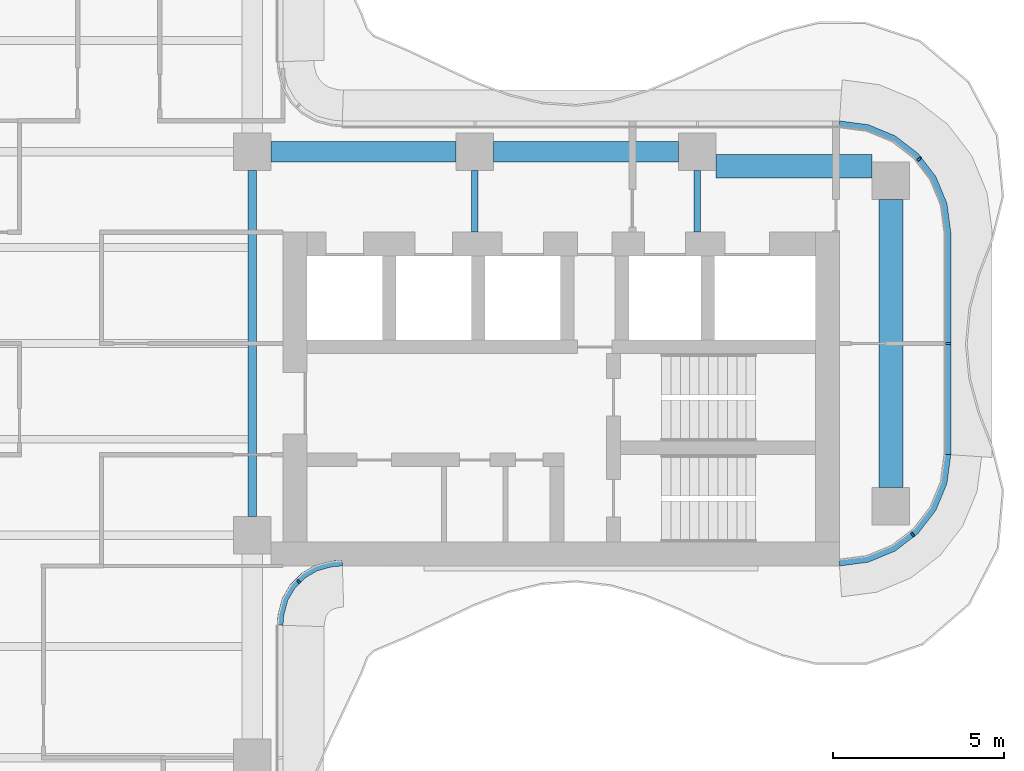
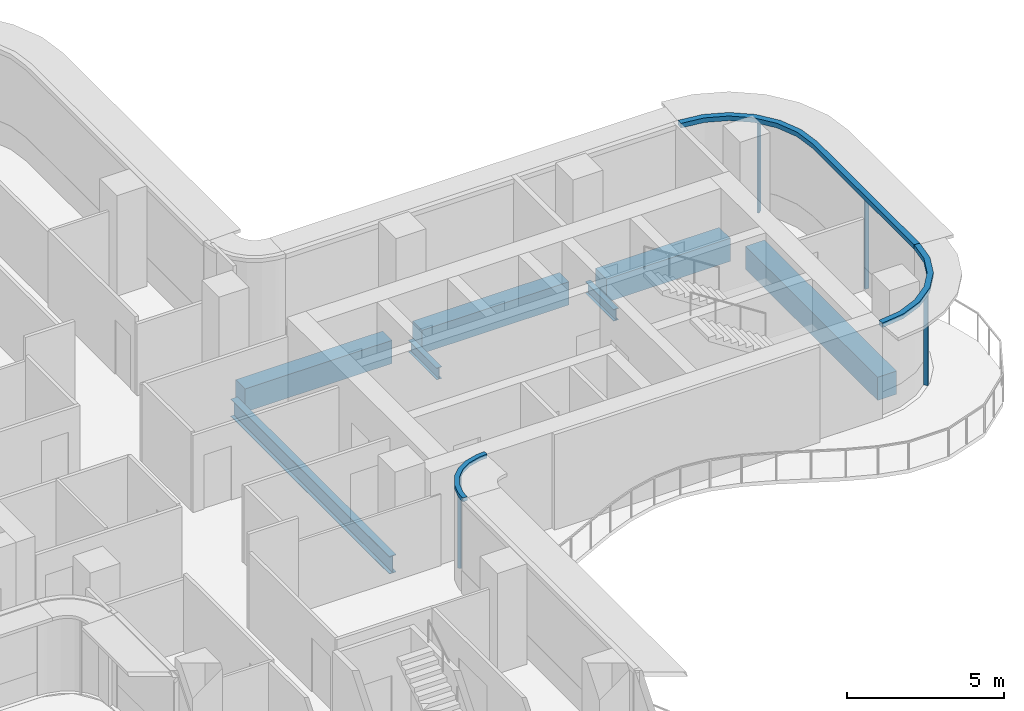
# One storey, part 5 of 17: 7 beams, 7 members, 3 elements without a shape of their own.
"""IFC4 building model written with IfcOpenShell, lengths in metres."""

from ifc_helpers import new_model, si_unit, direction, frame, origin, origin_2d, place, context, subcontext, project, spatial, polyline, rectangle, i_section, outline, extrude, source, transform, mapped, material, layer, layer_set, material_profile, profile_set, type_object, element, aggregate, save


model = new_model("IFC4")

# Units and contexts
model_context = context("Model", 3, precision=1e-05, world=origin(), true_north=direction((0.0, 1.0)))
body_context = subcontext(model_context, "Body", "Model", "MODEL_VIEW")
ifc_project = project(units=[si_unit("LENGTHUNIT", "METRE"), si_unit("AREAUNIT", "SQUARE_METRE"), si_unit("VOLUMEUNIT", "CUBIC_METRE"), si_unit("PLANEANGLEUNIT", "RADIAN"), si_unit("MASSUNIT", "GRAM", prefix="KILO")], contexts=[model_context])

# Site, building, storey
site_placement = place(None, origin())
site = spatial("IfcSite", under=ifc_project, at=site_placement, CompositionType="ELEMENT")
building_placement = place(site_placement, origin())
building = spatial("IfcBuilding", under=site, at=building_placement, Name="Trellis Farm Tower", CompositionType="ELEMENT")
storey_placement = place(building_placement, frame((0.0, 0.0, 236.300048828125)))
storey = spatial("IfcBuildingStorey", under=building, at=storey_placement, Name="L52", CompositionType="ELEMENT", Elevation=236.300048828125)

# Beams
ifc_material_1 = material(Name="Steel S355", Category="steel")
ifc_material_profile_1 = material_profile(ifc_material_1, i_section(OverallWidth=0.253662109375, OverallDepth=0.68359375, WebThickness=0.012451171875, FlangeThickness=0.021728515625, FilletRadius=0.01513671875, at=origin_2d()), Name="UB 686x254x140")
ifc_profile_set_1 = profile_set([ifc_material_profile_1], Name="Steel S355")
beam_type_1 = type_object("IfcBeamType", Name="UB 686x254x140", PredefinedType="BEAM", material=ifc_profile_set_1)
shared_shape_1 = source(origin(), body_context, "Body", "SweptSolid", [
    extrude(i_section(OverallWidth=0.253662109375, OverallDepth=0.68359375, WebThickness=0.012451171875, FlangeThickness=0.021728515625, FilletRadius=0.01513671875, at=origin_2d()), origin(), (0.0, 0.0, 1.0), 10.10009765625),
])
beam_1_placement = place(storey_placement, frame((5.60009765625, -5.050048828125, -0.541748046875), z_axis=(0.0, 1.0, 0.0), x_axis=(-1.0, 0.0, 0.0)))
element("IfcBeam", 1, at=beam_1_placement, inside=storey, type_object=beam_type_1, Name="Girder", PredefinedType="BEAM", context=body_context, shape_type="MappedRepresentation", body=[
    mapped(shared_shape_1, transform((0.0, 0.0, 0.0))),
])
ifc_material_profile_2 = material_profile(ifc_material_1, i_section(OverallWidth=0.1904296875, OverallDepth=0.45703125, WebThickness=0.009033203125, FlangeThickness=0.014404296875, FilletRadius=0.01025390625, at=origin_2d()), Name="UB 457x191x74")
ifc_profile_set_2 = profile_set([ifc_material_profile_2], Name="Steel S355")
beam_type_2 = type_object("IfcBeamType", Name="UB 457x191x74", PredefinedType="BEAM", material=ifc_profile_set_2)
shared_shape_2 = source(origin(), body_context, "Body", "SweptSolid", [
    extrude(i_section(OverallWidth=0.1904296875, OverallDepth=0.45703125, WebThickness=0.009033203125, FlangeThickness=0.014404296875, FilletRadius=0.01025390625, at=origin_2d()), origin(), (0.0, 0.0, 1.0), 1.800048828125),
])
for number, where, z_axis, x_axis, name in (
    (2, (12.10009765625, 3.25, -0.428466796875), (0.0, 1.0, 0.0), (-1.0, 0.0, 0.0), "Girder"),
    (3, (18.60009765625, 3.25, -0.428466796875), (0.0, 1.0, 0.0), (-1.0, 0.0, 0.0), "Girder"),
):
    element("IfcBeam", number, at=place(storey_placement, frame(where, z_axis=z_axis, x_axis=x_axis)), inside=storey, type_object=beam_type_2, Name=name, PredefinedType="BEAM", context=body_context, shape_type="MappedRepresentation", body=[
        mapped(shared_shape_2, transform((0.0, 0.0, 0.0))),
    ])
ifc_material_2 = material(Name="Concrete C60/75", Category="concrete")
ifc_material_profile_3 = material_profile(ifc_material_2, rectangle(XDim=0.60009765625, YDim=0.89990234375, at=origin_2d()), Name="RC spandrel beam 600x900 C60/75")
ifc_profile_set_3 = profile_set([ifc_material_profile_3], Name="Concrete C60/75")
beam_type_3 = type_object("IfcBeamType", Name="RC spandrel beam 600x900 C60/75", PredefinedType="SPANDREL", material=ifc_profile_set_3)
shared_shape_3 = source(origin(), body_context, "Body", "SweptSolid", [
    extrude(rectangle(XDim=0.60009765625, YDim=0.89990234375, at=origin_2d()), origin(), (0.0, 0.0, 1.0), 5.400146484375),
])
for number, where, z_axis, x_axis, name in (
    (4, (6.14990234375, 5.60009765625, -0.650146484375), (1.0, 0.0, 0.0), (0.0, 1.0, 0.0), "Girder"),
    (5, (12.64990234375, 5.60009765625, -0.650146484375), (1.0, 0.0, 0.0), (0.0, 1.0, 0.0), "Girder"),
):
    element("IfcBeam", number, at=place(storey_placement, frame(where, z_axis=z_axis, x_axis=x_axis)), inside=storey, type_object=beam_type_3, Name=name, PredefinedType="SPANDREL", context=body_context, shape_type="MappedRepresentation", body=[
        mapped(shared_shape_3, transform((0.0, 0.0, 0.0))),
    ])
ifc_material_profile_4 = material_profile(ifc_material_2, rectangle(XDim=0.699951171875, YDim=0.89990234375, at=origin_2d()), Name="RC spandrel beam 700x900 C60/75")
ifc_profile_set_4 = profile_set([ifc_material_profile_4], Name="Concrete C60/75")
beam_type_4 = type_object("IfcBeamType", Name="RC spandrel beam 700x900 C60/75", PredefinedType="SPANDREL", material=ifc_profile_set_4)
shared_shape_4 = source(origin(), body_context, "Body", "SweptSolid", [
    extrude(rectangle(XDim=0.699951171875, YDim=0.89990234375, at=origin_2d()), origin(), (0.0, 0.0, 1.0), 8.39990234375),
])
beam_2_placement = place(storey_placement, frame((24.25, -4.199951171875, -0.650146484375), z_axis=(0.0, 1.0, 0.0), x_axis=(-1.0, 0.0, 0.0)))
element("IfcBeam", 6, at=beam_2_placement, inside=storey, type_object=beam_type_4, Name="Girder", PredefinedType="SPANDREL", context=body_context, shape_type="MappedRepresentation", body=[
    mapped(shared_shape_4, transform((0.0, 0.0, 0.0))),
])
shared_shape_5 = source(origin(), body_context, "Body", "SweptSolid", [
    extrude(rectangle(XDim=0.699951171875, YDim=0.89990234375, at=origin_2d()), origin(), (0.0, 0.0, 1.0), 4.550048828125),
])
beam_3_placement = place(storey_placement, frame((19.14990234375, 5.175048828125, -0.650146484375), z_axis=(1.0, 0.0, 0.0), x_axis=(0.0, 1.0, 0.0)))
element("IfcBeam", 7, at=beam_3_placement, inside=storey, type_object=beam_type_4, Name="Girder", PredefinedType="SPANDREL", context=body_context, shape_type="MappedRepresentation", body=[
    mapped(shared_shape_5, transform((0.0, 0.0, 0.0))),
])

# Curtain wall, member
ifc_material_3 = material(Name="Aluminium and glass curtain wall", Category="aluminium")
ifc_layer_1 = layer(ifc_material_3, 0.166015625)
ifc_layer_set_1 = layer_set([ifc_layer_1], Name="WINTER GARDEN CURTAIN WALL CW3")
curtain_wall_type_1 = type_object("IfcCurtainWallType", Name="WINTER GARDEN CURTAIN WALL CW3", PredefinedType="NOTDEFINED", material=ifc_layer_set_1)
placement_1 = place(storey_placement, origin())
curtain_wall_1 = element("IfcCurtainWall", 8, at=placement_1, inside=storey, type_object=curtain_wall_type_1, Name="CW3 002", PredefinedType="NOTDEFINED")
ifc_material_4 = material(Name="Aluminium extrusion 6063-T6", Category="aluminium")
ifc_layer_2 = layer(ifc_material_4, 0.169921875)
ifc_layer_set_2 = layer_set([ifc_layer_2], Name="Aluminium extrusion 6063-T6")
member_type_1 = type_object("IfcMemberType", Name="CW3 TRANSOM 170x150", PredefinedType="USERDEFINED", material=ifc_layer_set_2)
shared_shape_6 = source(origin(), body_context, "Body", "SweptSolid", [
    extrude(outline(polyline([(6.5, -8.2314453125), (6.513916015625, -8.01953125), (6.527587890625, -7.91552734375), (6.63671875, -7.508544921875), (6.846923828125, -7.144287109375), (7.144287109375, -6.846923828125), (7.508544921875, -6.63671875), (7.91552734375, -6.527587890625), (8.01953125, -6.513916015625), (8.2314453125, -6.5), (8.225830078125, -6.330078125), (8.0029296875, -6.3447265625), (7.88232421875, -6.360595703125), (7.44287109375, -6.478271484375), (7.0400390625, -6.7109375), (6.7109375, -7.0400390625), (6.478271484375, -7.44287109375), (6.360595703125, -7.88232421875), (6.3447265625, -8.0029296875), (6.330078125, -8.225830078125), (6.5, -8.2314453125)])), origin(), (0.0, 0.0, 1.0), 0.14990234375),
])
member_1_placement = place(storey_placement, frame((0.0, 0.0, 3.550048828125)))
member_1 = element("IfcMember", 9, at=member_1_placement, type_object=member_type_1, Name="TR3 002", ObjectType="TRANSOM", PredefinedType="USERDEFINED", context=body_context, shape_type="MappedRepresentation", body=[
    mapped(shared_shape_6, transform((0.0, 0.0, 0.0))),
])

ifc_layer_3 = layer(ifc_material_3, 0.18994140625)
ifc_layer_set_3 = layer_set([ifc_layer_3], Name="RIBBON CURTAIN WALL CW1")
curtain_wall_type_2 = type_object("IfcCurtainWallType", Name="RIBBON CURTAIN WALL CW1", PredefinedType="NOTDEFINED", material=ifc_layer_set_3)
curtain_wall_2 = element("IfcCurtainWall", 10, at=placement_1, inside=storey, type_object=curtain_wall_type_2, Name="CW1 006", PredefinedType="NOTDEFINED")
ifc_material_profile_5 = material_profile(ifc_material_4, rectangle(XDim=0.06005859375, YDim=0.14990234375, at=origin_2d()), Name="MULLION 60x150")
ifc_profile_set_5 = profile_set([ifc_material_profile_5], Name="Aluminium extrusion 6063-T6")
member_type_2 = type_object("IfcMemberType", Name="CW1 MULLION 60x150", PredefinedType="MULLION", material=ifc_profile_set_5)
shared_shape_7 = source(origin(), body_context, "Body", "SweptSolid", [
    extrude(rectangle(XDim=0.06005859375, YDim=0.14990234375, at=origin_2d()), origin(), (0.0, 0.0, 1.0), 3.52001953125),
])
member_2_placement = place(storey_placement, frame((24.885498046875, -5.578369140625, 0.0), z_axis=(0.0, 0.0, 1.0), x_axis=(0.793353340291, 0.608761429009, 0.0)))
member_2 = element("IfcMember", 11, at=member_2_placement, type_object=member_type_2, Name="MU1 006-01", PredefinedType="MULLION", context=body_context, shape_type="MappedRepresentation", body=[
    mapped(shared_shape_7, transform((0.0, 0.0, 0.0))),
])

# Curtain wall, members
curtain_wall_3 = element("IfcCurtainWall", 12, at=placement_1, inside=storey, type_object=curtain_wall_type_2, Name="CW1 007", PredefinedType="NOTDEFINED")
member_3_placement = place(storey_placement, frame((25.925048828125, 0.0, 0.0), z_axis=(0.0, 0.0, 1.0), x_axis=(0.0, 1.0, 0.0)))
member_3 = element("IfcMember", 13, at=member_3_placement, type_object=member_type_2, Name="MU1 007-01", PredefinedType="MULLION", context=body_context, shape_type="MappedRepresentation", body=[
    mapped(shared_shape_7, transform((0.0, 0.0, 0.0))),
])
member_4_placement = place(storey_placement, frame((25.078369140625, 5.385498046875, 0.0), z_axis=(0.0, 0.0, 1.0), x_axis=(-0.608761429009, 0.793353340291, 0.0)))
member_4 = element("IfcMember", 14, at=member_4_placement, type_object=member_type_2, Name="MU1 007-02", PredefinedType="MULLION", context=body_context, shape_type="MappedRepresentation", body=[
    mapped(shared_shape_7, transform((0.0, 0.0, 0.0))),
])

# Member
ifc_material_profile_6 = material_profile(ifc_material_4, rectangle(XDim=0.050048828125, YDim=0.1201171875, at=origin_2d()), Name="MULLION 50x120")
ifc_profile_set_6 = profile_set([ifc_material_profile_6], Name="Aluminium extrusion 6063-T6")
member_type_3 = type_object("IfcMemberType", Name="CW3 MULLION 50x120", PredefinedType="MULLION", material=ifc_profile_set_6)
shared_shape_8 = source(origin(), body_context, "Body", "SweptSolid", [
    extrude(rectangle(XDim=0.050048828125, YDim=0.1201171875, at=origin_2d()), origin(), (0.0, 0.0, 1.0), 3.550048828125),
])
member_5_placement = place(storey_placement, frame((6.953125, -6.953125, 0.0), z_axis=(0.0, 0.0, 1.0), x_axis=(0.707106781187, 0.707106781187, 0.0)))
member_5 = element("IfcMember", 15, at=member_5_placement, type_object=member_type_3, Name="MU3 002-01", PredefinedType="MULLION", context=body_context, shape_type="MappedRepresentation", body=[
    mapped(shared_shape_8, transform((0.0, 0.0, 0.0))),
])

aggregate(curtain_wall_1, [member_5, member_1])

ifc_layer_4 = layer(ifc_material_4, 0.199951171875)
ifc_layer_set_4 = layer_set([ifc_layer_4], Name="Aluminium extrusion 6063-T6")
member_type_4 = type_object("IfcMemberType", Name="CW1 TRANSOM 200x180", PredefinedType="USERDEFINED", material=ifc_layer_set_4)
shared_shape_9 = source(origin(), body_context, "Body", "SweptSolid", [
    extrude(outline(polyline([(22.75, -6.5), (23.591064453125, -6.38916015625), (24.375, -6.064697265625), (25.048095703125, -5.548095703125), (25.564697265625, -4.875), (25.88916015625, -4.091064453125), (26.0, -3.25), (25.800048828125, -3.23681640625), (25.6943359375, -4.0390625), (25.389892578125, -4.774169921875), (24.905517578125, -5.405517578125), (24.274169921875, -5.889892578125), (23.5390625, -6.1943359375), (22.73681640625, -6.300048828125), (22.75, -6.5)])), origin(), (0.0, 0.0, 1.0), 0.179931640625),
])
placement_2 = place(storey_placement, frame((0.0, 0.0, 3.52001953125)))
member_6 = element("IfcMember", 16, at=placement_2, type_object=member_type_4, Name="TR1 006", ObjectType="TRANSOM", PredefinedType="USERDEFINED", context=body_context, shape_type="MappedRepresentation", body=[
    mapped(shared_shape_9, transform((0.0, 0.0, 0.0))),
])

aggregate(curtain_wall_2, [member_2, member_6])

shared_shape_10 = source(origin(), body_context, "Body", "SweptSolid", [
    extrude(outline(polyline([(26.0, -3.25), (26.0, 3.25), (25.88916015625, 4.091064453125), (25.564697265625, 4.875), (25.048095703125, 5.548095703125), (24.375, 6.064697265625), (23.591064453125, 6.38916015625), (22.75, 6.5), (22.73681640625, 6.300048828125), (23.5390625, 6.1943359375), (24.274169921875, 5.889892578125), (24.905517578125, 5.405517578125), (25.389892578125, 4.774169921875), (25.6943359375, 4.0390625), (25.800048828125, 3.23681640625), (25.800048828125, -3.23681640625), (26.0, -3.25)])), origin(), (0.0, 0.0, 1.0), 0.179931640625),
])
member_7 = element("IfcMember", 17, at=placement_2, type_object=member_type_4, Name="TR1 007", ObjectType="TRANSOM", PredefinedType="USERDEFINED", context=body_context, shape_type="MappedRepresentation", body=[
    mapped(shared_shape_10, transform((0.0, 0.0, 0.0))),
])

aggregate(curtain_wall_3, [member_3, member_4, member_7])

save(model, "model.ifc")
